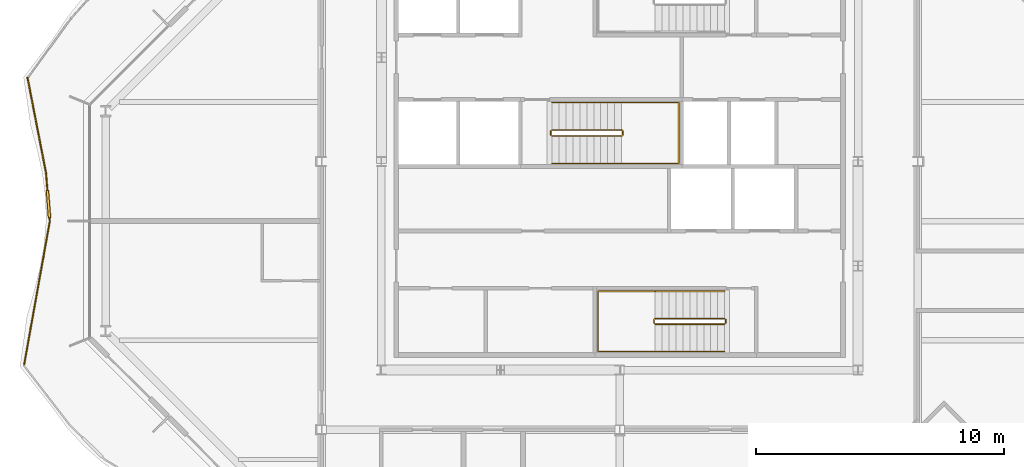
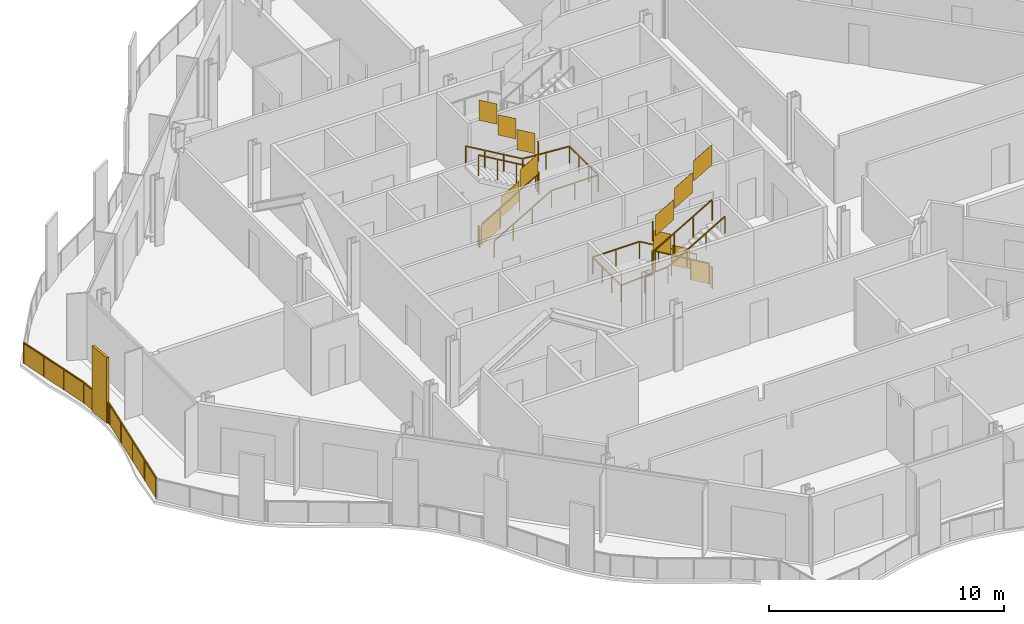
# One storey, part 14 of 17: 7 railings.
"""IFC4 building model written with IfcOpenShell, lengths in metres."""

from ifc_helpers import new_model, si_unit, direction, frame, origin, origin_2d, place, context, subcontext, project, spatial, polyline, rectangle, outline, extrude, material, type_object, element, save


model = new_model("IFC4")

# Units and contexts
model_context = context("Model", 3, precision=1e-05, world=origin(), true_north=direction((0.0, 1.0)))
body_context = subcontext(model_context, "Body", "Model", "MODEL_VIEW")
ifc_project = project(units=[si_unit("LENGTHUNIT", "METRE"), si_unit("AREAUNIT", "SQUARE_METRE"), si_unit("VOLUMEUNIT", "CUBIC_METRE"), si_unit("PLANEANGLEUNIT", "RADIAN"), si_unit("MASSUNIT", "GRAM", prefix="KILO")], contexts=[model_context])

# Site, building, storey
site_placement = place(None, origin())
site = spatial("IfcSite", under=ifc_project, at=site_placement, CompositionType="ELEMENT")
building_placement = place(site_placement, origin())
building = spatial("IfcBuilding", under=site, at=building_placement, Name="Cairn Pilgrim Tower", CompositionType="ELEMENT")
storey_placement = place(building_placement, frame((0.0, 0.0, 232.199951171875)))
storey = spatial("IfcBuildingStorey", under=building, at=storey_placement, Name="L59", CompositionType="ELEMENT", Elevation=232.199951171875)

# Railings
ifc_material_1 = material(Name="Bronze anodised aluminium rail, posts and fin screens with laminated glass infill", Category="aluminium")
railing_type_1 = type_object("IfcRailingType", Name="BALCONY GUARD WITH FIN SCREENS", PredefinedType="GUARDRAIL", material=ifc_material_1)
railing_1_placement = place(storey_placement, frame((-16.6484375, 5.761962890625, 0.0)))
element("IfcRailing", 1, at=railing_1_placement, inside=storey, type_object=railing_type_1, Name="Balcony guard BGF-7 with fin screens", PredefinedType="GUARDRAIL", context=body_context, shape_type="SweptSolid", body=[
    extrude(rectangle(XDim=0.050048828125, YDim=0.050048828125, at=origin_2d()), frame((0.0, 0.0, 1.0751953125), z_axis=(0.190940150551, -0.981601680371, 0.0), x_axis=(0.981601680371, 0.190940150551, 0.0)), (0.0, 0.0, 1.0), 3.893310546875),
    extrude(rectangle(XDim=1.10009765625, YDim=0.110107421875, at=origin_2d()), frame((0.841064453125, -5.07177734375, 0.0), z_axis=(0.0, 0.0, 1.0), x_axis=(0.077852734261, -0.996964869877, 0.0)), (0.0, 0.0, 1.0), 3.39990234375),
    extrude(rectangle(XDim=0.050048828125, YDim=0.050048828125, at=origin_2d()), frame((0.743408203125, -3.82177734375, 1.0751953125), z_axis=(0.077852734261, -0.996964869877, 0.0), x_axis=(0.996964869877, 0.077852734261, 0.0)), (0.0, 0.0, 1.0), 0.70361328125),
    extrude(rectangle(XDim=0.050048828125, YDim=0.050048828125, at=origin_2d()), frame((0.8837890625, -5.619873046875, 1.0751953125), z_axis=(0.077852734261, -0.996964869877, 0.0), x_axis=(0.996964869877, 0.077852734261, 0.0)), (0.0, 0.0, 1.0), 0.14990234375),
    extrude(rectangle(XDim=0.050048828125, YDim=0.050048828125, at=origin_2d()), frame((0.8955078125, -5.76953125, 1.0751953125), z_axis=(-0.176270702653, -0.984341728967, 0.0), x_axis=(0.984341728967, -0.176270702653, 0.0)), (0.0, 0.0, 1.0), 5.843505859375),
    extrude(rectangle(XDim=0.050048828125, YDim=0.050048828125, at=origin_2d()), origin(), (0.0, 0.0, 1.0), 1.050048828125),
    extrude(rectangle(XDim=0.050048828125, YDim=0.050048828125, at=origin_2d()), frame((0.247802734375, -1.27392578125, 0.0)), (0.0, 0.0, 1.0), 1.050048828125),
    extrude(rectangle(XDim=0.050048828125, YDim=0.050048828125, at=origin_2d()), frame((0.49560546875, -2.5478515625, 0.0)), (0.0, 0.0, 1.0), 1.050048828125),
    extrude(rectangle(XDim=0.050048828125, YDim=0.050048828125, at=origin_2d()), frame((0.743408203125, -3.82177734375, 0.0)), (0.0, 0.0, 1.0), 1.050048828125),
    extrude(rectangle(XDim=0.050048828125, YDim=0.050048828125, at=origin_2d()), frame((0.796142578125, -4.498291015625, 0.0)), (0.0, 0.0, 1.0), 1.050048828125),
    extrude(rectangle(XDim=0.050048828125, YDim=0.050048828125, at=origin_2d()), frame((0.8857421875, -5.64501953125, 0.0)), (0.0, 0.0, 1.0), 1.050048828125),
    extrude(rectangle(XDim=0.050048828125, YDim=0.050048828125, at=origin_2d()), frame((0.8955078125, -5.76953125, 0.0)), (0.0, 0.0, 1.0), 1.050048828125),
    extrude(rectangle(XDim=0.050048828125, YDim=0.050048828125, at=origin_2d()), frame((0.637939453125, -7.20751953125, 0.0)), (0.0, 0.0, 1.0), 1.050048828125),
    extrude(rectangle(XDim=0.050048828125, YDim=0.050048828125, at=origin_2d()), frame((0.38037109375, -8.6455078125, 0.0)), (0.0, 0.0, 1.0), 1.050048828125),
    extrude(rectangle(XDim=0.050048828125, YDim=0.050048828125, at=origin_2d()), frame((0.123046875, -10.08349609375, 0.0)), (0.0, 0.0, 1.0), 1.050048828125),
    extrude(rectangle(XDim=0.050048828125, YDim=0.050048828125, at=origin_2d()), frame((-0.134521484375, -11.521484375, 0.0)), (0.0, 0.0, 1.0), 1.050048828125),
    extrude(outline(polyline([(0.02490234375, 0.0), (1.272705078125, 0.0), (1.272705078125, 1.050048828125), (0.02490234375, 1.050048828125), (0.02490234375, 0.0)])), frame((0.005859375, 0.001220703125, 0.0), z_axis=(-0.981601680371, -0.190940150551, 0.0), x_axis=(0.190940150551, -0.981601680371, 0.0)), (0.0, 0.0, 1.0), 0.011962890625),
    extrude(outline(polyline([(0.02490234375, 0.0), (1.272705078125, 0.0), (1.272705078125, 1.050048828125), (0.02490234375, 1.050048828125), (0.02490234375, 0.0)])), frame((0.253662109375, -1.272705078125, 0.0), z_axis=(-0.981601680371, -0.190940150551, 0.0), x_axis=(0.190940150551, -0.981601680371, 0.0)), (0.0, 0.0, 1.0), 0.011962890625),
    extrude(outline(polyline([(0.02490234375, 0.0), (1.272705078125, 0.0), (1.272705078125, 1.050048828125), (0.02490234375, 1.050048828125), (0.02490234375, 0.0)])), frame((0.50146484375, -2.546630859375, 0.0), z_axis=(-0.981601680371, -0.190940150551, 0.0), x_axis=(0.190940150551, -0.981601680371, 0.0)), (0.0, 0.0, 1.0), 0.011962890625),
    extrude(outline(polyline([(0.02490234375, 0.0), (0.653564453125, 0.0), (0.653564453125, 1.050048828125), (0.02490234375, 1.050048828125), (0.02490234375, 0.0)])), frame((0.749267578125, -3.8212890625, 0.0), z_axis=(-0.996964869877, -0.077852734261, 0.0), x_axis=(0.077852734261, -0.996964869877, 0.0)), (0.0, 0.0, 1.0), 0.011962890625),
    extrude(outline(polyline([(0.02490234375, 0.0), (0.099853515625, 0.0), (0.099853515625, 1.050048828125), (0.02490234375, 1.050048828125), (0.02490234375, 0.0)])), frame((0.891845703125, -5.64453125, 0.0), z_axis=(-0.996964869877, -0.077852734261, 0.0), x_axis=(0.077852734261, -0.996964869877, 0.0)), (0.0, 0.0, 1.0), 0.011962890625),
    extrude(outline(polyline([(0.02490234375, 0.0), (1.435791015625, 0.0), (1.435791015625, 1.050048828125), (0.02490234375, 1.050048828125), (0.02490234375, 0.0)])), frame((0.9013671875, -5.7705078125, 0.0), z_axis=(-0.984341728967, 0.176270702653, 0.0), x_axis=(-0.176270702653, -0.984341728967, 0.0)), (0.0, 0.0, 1.0), 0.011962890625),
    extrude(outline(polyline([(0.02490234375, 0.0), (1.435791015625, 0.0), (1.435791015625, 1.050048828125), (0.02490234375, 1.050048828125), (0.02490234375, 0.0)])), frame((0.643798828125, -7.20849609375, 0.0), z_axis=(-0.984341728967, 0.176270702653, 0.0), x_axis=(-0.176270702653, -0.984341728967, 0.0)), (0.0, 0.0, 1.0), 0.011962890625),
    extrude(outline(polyline([(0.02490234375, 0.0), (1.435791015625, 0.0), (1.435791015625, 1.050048828125), (0.02490234375, 1.050048828125), (0.02490234375, 0.0)])), frame((0.386474609375, -8.646484375, 0.0), z_axis=(-0.984341728967, 0.176270702653, 0.0), x_axis=(-0.176270702653, -0.984341728967, 0.0)), (0.0, 0.0, 1.0), 0.011962890625),
    extrude(outline(polyline([(0.02490234375, 0.0), (1.435791015625, 0.0), (1.435791015625, 1.050048828125), (0.02490234375, 1.050048828125), (0.02490234375, 0.0)])), frame((0.12890625, -10.08447265625, 0.0), z_axis=(-0.984341728967, 0.176270702653, 0.0), x_axis=(-0.176270702653, -0.984341728967, 0.0)), (0.0, 0.0, 1.0), 0.011962890625),
])
ifc_material_2 = material(Name="Painted steel", Category="steel")
railing_type_2 = type_object("IfcRailingType", Name="STAIR GUARD 1100", PredefinedType="GUARDRAIL", material=ifc_material_2)
railing_2_placement = place(storey_placement, frame((11.425048828125, -3.925048828125, 0.16357421875)))
element("IfcRailing", 2, at=railing_2_placement, inside=storey, type_object=railing_type_2, Name="L59 ST-A stair guard 1", PredefinedType="GUARDRAIL", context=body_context, shape_type="SweptSolid", body=[
    extrude(rectangle(XDim=0.048095703125, YDim=0.048095703125, at=origin_2d()), frame((0.0, 0.0, 1.076171875), z_axis=(-0.863360870873, 0.0, 0.504586966384), x_axis=(0.0, -1.0, 0.0)), (0.0, 0.0, 1.0), 3.2431640625),
    extrude(rectangle(XDim=0.048095703125, YDim=0.048095703125, at=origin_2d()), frame((-2.800048828125, 0.0, 2.71240234375), z_axis=(-0.707106781187, -0.707106781187, 0.0), x_axis=(0.707106781187, -0.707106781187, 0.0)), (0.0, 0.0, 1.0), 0.07080078125),
    extrude(rectangle(XDim=0.048095703125, YDim=0.048095703125, at=origin_2d()), frame((-2.85009765625, -0.050048828125, 2.71240234375), z_axis=(0.0, -1.0, 0.0), x_axis=(1.0, 0.0, 0.0)), (0.0, 0.0, 1.0), 0.125),
    extrude(rectangle(XDim=0.048095703125, YDim=0.048095703125, at=origin_2d()), frame((-2.85009765625, -0.175048828125, 2.71240234375), z_axis=(0.280916556609, -0.279546231943, 0.91811752648), x_axis=(0.705375805398, 0.708833529934, 0.0)), (0.0, 0.0, 1.0), 0.17822265625),
    extrude(rectangle(XDim=0.048095703125, YDim=0.048095703125, at=origin_2d()), frame((-2.800048828125, -0.224853515625, 2.8759765625), z_axis=(0.863360870873, 0.0, 0.504586966384), x_axis=(0.0, 1.0, 0.0)), (0.0, 0.0, 1.0), 3.2431640625),
    extrude(rectangle(XDim=0.0419921875, YDim=0.0419921875, at=origin_2d()), origin(), (0.0, 0.0, 1.0), 1.052001953125),
    extrude(rectangle(XDim=0.0419921875, YDim=0.0419921875, at=origin_2d()), frame((-0.933349609375, 0.0, 0.54541015625)), (0.0, 0.0, 1.0), 1.052001953125),
    extrude(rectangle(XDim=0.0419921875, YDim=0.0419921875, at=origin_2d()), frame((-1.86669921875, 0.0, 1.091064453125)), (0.0, 0.0, 1.0), 1.052001953125),
    extrude(rectangle(XDim=0.0419921875, YDim=0.0419921875, at=origin_2d()), frame((-2.800048828125, 0.0, 1.636474609375)), (0.0, 0.0, 1.0), 1.052001953125),
    extrude(rectangle(XDim=0.0419921875, YDim=0.0419921875, at=origin_2d()), frame((-2.85009765625, -0.050048828125, 1.636474609375)), (0.0, 0.0, 1.0), 1.052001953125),
    extrude(rectangle(XDim=0.0419921875, YDim=0.0419921875, at=origin_2d()), frame((-2.85009765625, -0.175048828125, 1.636474609375)), (0.0, 0.0, 1.0), 1.052001953125),
    extrude(rectangle(XDim=0.0419921875, YDim=0.0419921875, at=origin_2d()), frame((-2.800048828125, -0.224853515625, 1.800048828125)), (0.0, 0.0, 1.0), 1.052001953125),
    extrude(rectangle(XDim=0.0419921875, YDim=0.0419921875, at=origin_2d()), frame((-1.86669921875, -0.224853515625, 2.345458984375)), (0.0, 0.0, 1.0), 1.052001953125),
    extrude(rectangle(XDim=0.0419921875, YDim=0.0419921875, at=origin_2d()), frame((-0.933349609375, -0.224853515625, 2.89111328125)), (0.0, 0.0, 1.0), 1.052001953125),
    extrude(rectangle(XDim=0.0419921875, YDim=0.0419921875, at=origin_2d()), frame((0.0, -0.224853515625, 3.4365234375)), (0.0, 0.0, 1.0), 1.052001953125),
    extrude(outline(polyline([(0.02099609375, 0.01220703125), (0.912353515625, 0.533203125), (0.912353515625, 1.585205078125), (0.02099609375, 1.064208984375), (0.02099609375, 0.01220703125)])), frame((0.0, -0.005859375, 0.0), z_axis=(0.0, 1.0, 0.0), x_axis=(-1.0, 0.0, 0.0)), (0.0, 0.0, 1.0), 0.011962890625),
    extrude(outline(polyline([(0.02099609375, 0.557861328125), (0.912353515625, 1.07861328125), (0.912353515625, 2.130615234375), (0.02099609375, 1.60986328125), (0.02099609375, 0.557861328125)])), frame((-0.933349609375, -0.005859375, 0.54541015625), z_axis=(0.0, 1.0, 0.0), x_axis=(-1.0, 0.0, 0.0)), (0.0, 0.0, 1.0), 0.011962890625),
    extrude(outline(polyline([(0.02099609375, 1.103271484375), (0.912353515625, 1.624267578125), (0.912353515625, 2.67626953125), (0.02099609375, 2.1552734375), (0.02099609375, 1.103271484375)])), frame((-1.86669921875, -0.005859375, 1.091064453125), z_axis=(0.0, 1.0, 0.0), x_axis=(-1.0, 0.0, 0.0)), (0.0, 0.0, 1.0), 0.011962890625),
    extrude(outline(polyline([(0.02099609375, 1.636474609375), (0.10400390625, 1.636474609375), (0.10400390625, 2.6884765625), (0.02099609375, 2.6884765625), (0.02099609375, 1.636474609375)])), frame((-2.84423828125, -0.050048828125, 1.636474609375), z_axis=(-1.0, 0.0, 0.0), x_axis=(0.0, -1.0, 0.0)), (0.0, 0.0, 1.0), 0.011962890625),
    extrude(outline(polyline([(0.02099609375, 1.812255859375), (0.912353515625, 2.333251953125), (0.912353515625, 3.38525390625), (0.02099609375, 2.8642578125), (0.02099609375, 1.812255859375)])), frame((-2.800048828125, -0.21875, 1.800048828125), z_axis=(0.0, -1.0, 0.0), x_axis=(1.0, 0.0, 0.0)), (0.0, 0.0, 1.0), 0.011962890625),
    extrude(outline(polyline([(0.02099609375, 2.35791015625), (0.912353515625, 2.878662109375), (0.912353515625, 3.9306640625), (0.02099609375, 3.409912109375), (0.02099609375, 2.35791015625)])), frame((-1.86669921875, -0.21875, 2.345458984375), z_axis=(0.0, -1.0, 0.0), x_axis=(1.0, 0.0, 0.0)), (0.0, 0.0, 1.0), 0.011962890625),
    extrude(outline(polyline([(0.02099609375, 2.9033203125), (0.912353515625, 3.42431640625), (0.912353515625, 4.476318359375), (0.02099609375, 3.955322265625), (0.02099609375, 2.9033203125)])), frame((-0.933349609375, -0.21875, 2.89111328125), z_axis=(0.0, -1.0, 0.0), x_axis=(1.0, 0.0, 0.0)), (0.0, 0.0, 1.0), 0.011962890625),
])
railing_3_placement = place(storey_placement, frame((11.47509765625, -3.97509765625, 0.0)))
element("IfcRailing", 3, at=railing_3_placement, inside=storey, type_object=railing_type_2, Name="L59 ST-A stair guard 2", PredefinedType="GUARDRAIL", context=body_context, shape_type="SweptSolid", body=[
    extrude(rectangle(XDim=0.048095703125, YDim=0.048095703125, at=origin_2d()), frame((0.0, 0.0, 1.076171875), z_axis=(0.0, -1.0, 0.0), x_axis=(1.0, 0.0, 0.0)), (0.0, 0.0, 1.0), 0.125),
    extrude(rectangle(XDim=0.0419921875, YDim=0.0419921875, at=origin_2d()), origin(), (0.0, 0.0, 1.0), 1.052001953125),
    extrude(rectangle(XDim=0.0419921875, YDim=0.0419921875, at=origin_2d()), frame((0.0, -0.125, 0.0)), (0.0, 0.0, 1.0), 1.052001953125),
    extrude(outline(polyline([(0.02099609375, 0.0), (0.10400390625, 0.0), (0.10400390625, 1.052001953125), (0.02099609375, 1.052001953125), (0.02099609375, 0.0)])), frame((0.005859375, 0.0, 0.0), z_axis=(-1.0, 0.0, 0.0), x_axis=(0.0, -1.0, 0.0)), (0.0, 0.0, 1.0), 0.011962890625),
])
railing_4_placement = place(storey_placement, frame((4.47509765625, 3.425048828125, 0.16357421875)))
element("IfcRailing", 4, at=railing_4_placement, inside=storey, type_object=railing_type_2, Name="L59 ST-B stair guard 1", PredefinedType="GUARDRAIL", context=body_context, shape_type="SweptSolid", body=[
    extrude(rectangle(XDim=0.048095703125, YDim=0.048095703125, at=origin_2d()), frame((0.0, 0.0, 1.076171875), z_axis=(0.863341702679, 0.0, 0.504619762213), x_axis=(0.0, 1.0, 0.0)), (0.0, 0.0, 1.0), 3.242919921875),
    extrude(rectangle(XDim=0.048095703125, YDim=0.048095703125, at=origin_2d()), frame((2.7998046875, 0.0, 2.71240234375), z_axis=(0.707106781187, 0.707106781187, 0.0), x_axis=(-0.707106781187, 0.707106781187, 0.0)), (0.0, 0.0, 1.0), 0.07080078125),
    extrude(rectangle(XDim=0.048095703125, YDim=0.048095703125, at=origin_2d()), frame((2.849853515625, 0.050048828125, 2.71240234375), z_axis=(0.0, 1.0, 0.0), x_axis=(-1.0, 0.0, 0.0)), (0.0, 0.0, 1.0), 0.14990234375),
    extrude(rectangle(XDim=0.048095703125, YDim=0.048095703125, at=origin_2d()), frame((2.849853515625, 0.199951171875, 2.71240234375), z_axis=(-0.280808744504, 0.280808744504, 0.917765164963), x_axis=(-0.707106781187, -0.707106781187, 0.0)), (0.0, 0.0, 1.0), 0.17822265625),
    extrude(rectangle(XDim=0.048095703125, YDim=0.048095703125, at=origin_2d()), frame((2.7998046875, 0.25, 2.8759765625), z_axis=(-0.863341702679, 0.0, 0.504619762213), x_axis=(0.0, -1.0, 0.0)), (0.0, 0.0, 1.0), 3.242919921875),
    extrude(rectangle(XDim=0.0419921875, YDim=0.0419921875, at=origin_2d()), origin(), (0.0, 0.0, 1.0), 1.052001953125),
    extrude(rectangle(XDim=0.0419921875, YDim=0.0419921875, at=origin_2d()), frame((0.933349609375, 0.0, 0.54541015625)), (0.0, 0.0, 1.0), 1.052001953125),
    extrude(rectangle(XDim=0.0419921875, YDim=0.0419921875, at=origin_2d()), frame((1.866455078125, 0.0, 1.091064453125)), (0.0, 0.0, 1.0), 1.052001953125),
    extrude(rectangle(XDim=0.0419921875, YDim=0.0419921875, at=origin_2d()), frame((2.7998046875, 0.0, 1.636474609375)), (0.0, 0.0, 1.0), 1.052001953125),
    extrude(rectangle(XDim=0.0419921875, YDim=0.0419921875, at=origin_2d()), frame((2.849853515625, 0.050048828125, 1.636474609375)), (0.0, 0.0, 1.0), 1.052001953125),
    extrude(rectangle(XDim=0.0419921875, YDim=0.0419921875, at=origin_2d()), frame((2.849853515625, 0.199951171875, 1.636474609375)), (0.0, 0.0, 1.0), 1.052001953125),
    extrude(rectangle(XDim=0.0419921875, YDim=0.0419921875, at=origin_2d()), frame((2.7998046875, 0.25, 1.800048828125)), (0.0, 0.0, 1.0), 1.052001953125),
    extrude(rectangle(XDim=0.0419921875, YDim=0.0419921875, at=origin_2d()), frame((1.866455078125, 0.25, 2.345458984375)), (0.0, 0.0, 1.0), 1.052001953125),
    extrude(rectangle(XDim=0.0419921875, YDim=0.0419921875, at=origin_2d()), frame((0.933349609375, 0.25, 2.89111328125)), (0.0, 0.0, 1.0), 1.052001953125),
    extrude(rectangle(XDim=0.0419921875, YDim=0.0419921875, at=origin_2d()), frame((0.0, 0.25, 3.4365234375)), (0.0, 0.0, 1.0), 1.052001953125),
    extrude(outline(polyline([(0.02099609375, 0.01220703125), (0.912353515625, 0.533203125), (0.912353515625, 1.585205078125), (0.02099609375, 1.064208984375), (0.02099609375, 0.01220703125)])), frame((0.0, 0.005859375, 0.0), z_axis=(0.0, -1.0, 0.0), x_axis=(1.0, 0.0, 0.0)), (0.0, 0.0, 1.0), 0.011962890625),
    extrude(outline(polyline([(0.02099609375, 0.557861328125), (0.912353515625, 1.07861328125), (0.912353515625, 2.130615234375), (0.02099609375, 1.60986328125), (0.02099609375, 0.557861328125)])), frame((0.933349609375, 0.005859375, 0.54541015625), z_axis=(0.0, -1.0, 0.0), x_axis=(1.0, 0.0, 0.0)), (0.0, 0.0, 1.0), 0.011962890625),
    extrude(outline(polyline([(0.02099609375, 1.103271484375), (0.912353515625, 1.624267578125), (0.912353515625, 2.67626953125), (0.02099609375, 2.1552734375), (0.02099609375, 1.103271484375)])), frame((1.866455078125, 0.005859375, 1.091064453125), z_axis=(0.0, -1.0, 0.0), x_axis=(1.0, 0.0, 0.0)), (0.0, 0.0, 1.0), 0.011962890625),
    extrude(outline(polyline([(0.02099609375, 1.636474609375), (0.12890625, 1.636474609375), (0.12890625, 2.6884765625), (0.02099609375, 2.6884765625), (0.02099609375, 1.636474609375)])), frame((2.84375, 0.050048828125, 1.636474609375), z_axis=(1.0, 0.0, 0.0), x_axis=(0.0, 1.0, 0.0)), (0.0, 0.0, 1.0), 0.011962890625),
    extrude(outline(polyline([(0.02099609375, 1.812255859375), (0.912353515625, 2.333251953125), (0.912353515625, 3.38525390625), (0.02099609375, 2.8642578125), (0.02099609375, 1.812255859375)])), frame((2.7998046875, 0.244140625, 1.800048828125), z_axis=(0.0, 1.0, 0.0), x_axis=(-1.0, 0.0, 0.0)), (0.0, 0.0, 1.0), 0.011962890625),
    extrude(outline(polyline([(0.02099609375, 2.35791015625), (0.912353515625, 2.878662109375), (0.912353515625, 3.9306640625), (0.02099609375, 3.409912109375), (0.02099609375, 2.35791015625)])), frame((1.866455078125, 0.244140625, 2.345458984375), z_axis=(0.0, 1.0, 0.0), x_axis=(-1.0, 0.0, 0.0)), (0.0, 0.0, 1.0), 0.011962890625),
    extrude(outline(polyline([(0.02099609375, 2.9033203125), (0.912353515625, 3.42431640625), (0.912353515625, 4.476318359375), (0.02099609375, 3.955322265625), (0.02099609375, 2.9033203125)])), frame((0.933349609375, 0.244140625, 2.89111328125), z_axis=(0.0, 1.0, 0.0), x_axis=(-1.0, 0.0, 0.0)), (0.0, 0.0, 1.0), 0.011962890625),
])
railing_5_placement = place(storey_placement, frame((4.425048828125, 3.47509765625, 0.0)))
element("IfcRailing", 5, at=railing_5_placement, inside=storey, type_object=railing_type_2, Name="L59 ST-B stair guard 2", PredefinedType="GUARDRAIL", context=body_context, shape_type="SweptSolid", body=[
    extrude(rectangle(XDim=0.048095703125, YDim=0.048095703125, at=origin_2d()), frame((0.0, 0.0, 1.076171875), z_axis=(0.0, 1.0, 0.0), x_axis=(-1.0, 0.0, 0.0)), (0.0, 0.0, 1.0), 0.14990234375),
    extrude(rectangle(XDim=0.0419921875, YDim=0.0419921875, at=origin_2d()), origin(), (0.0, 0.0, 1.0), 1.052001953125),
    extrude(rectangle(XDim=0.0419921875, YDim=0.0419921875, at=origin_2d()), frame((0.0, 0.14990234375, 0.0)), (0.0, 0.0, 1.0), 1.052001953125),
    extrude(outline(polyline([(0.02099609375, 0.0), (0.12890625, 0.0), (0.12890625, 1.052001953125), (0.02099609375, 1.052001953125), (0.02099609375, 0.0)])), frame((-0.005859375, 0.0, 0.0), z_axis=(1.0, 0.0, 0.0), x_axis=(0.0, 1.0, 0.0)), (0.0, 0.0, 1.0), 0.011962890625),
])
railing_type_3 = type_object("IfcRailingType", Name="STAIR HANDRAIL 900", PredefinedType="HANDRAIL", material=ifc_material_2)
railing_6_placement = place(storey_placement, frame((11.425048828125, -2.824951171875, 0.16357421875)))
element("IfcRailing", 6, at=railing_6_placement, inside=storey, type_object=railing_type_3, Name="L59 ST-A stair handrail 1", PredefinedType="HANDRAIL", context=body_context, shape_type="SweptSolid", body=[
    extrude(rectangle(XDim=0.048095703125, YDim=0.048095703125, at=origin_2d()), frame((0.0, 0.0, 0.8759765625), z_axis=(-0.863360870873, 0.0, 0.504586966384), x_axis=(0.0, -1.0, 0.0)), (0.0, 0.0, 1.0), 3.2431640625),
    extrude(rectangle(XDim=0.048095703125, YDim=0.048095703125, at=origin_2d()), frame((-2.800048828125, 0.0, 2.51220703125), z_axis=(-1.0, 0.0, 0.0), x_axis=(0.0, -1.0, 0.0)), (0.0, 0.0, 1.0), 2.300048828125),
    extrude(rectangle(XDim=0.048095703125, YDim=0.048095703125, at=origin_2d()), frame((-5.10009765625, 0.0, 2.51220703125), z_axis=(0.0, -1.0, 0.0), x_axis=(1.0, 0.0, 0.0)), (0.0, 0.0, 1.0), 2.425048828125),
    extrude(rectangle(XDim=0.048095703125, YDim=0.048095703125, at=origin_2d()), frame((-5.10009765625, -2.425048828125, 2.51220703125), z_axis=(0.997480687736, 0.0, 0.070938548008), x_axis=(0.0, 1.0, 0.0)), (0.0, 0.0, 1.0), 2.305908203125),
    extrude(rectangle(XDim=0.048095703125, YDim=0.048095703125, at=origin_2d()), frame((-2.800048828125, -2.425048828125, 2.67578125), z_axis=(0.863360870873, 0.0, 0.504586966384), x_axis=(0.0, 1.0, 0.0)), (0.0, 0.0, 1.0), 3.2431640625),
    extrude(rectangle(XDim=0.0419921875, YDim=0.0419921875, at=origin_2d()), origin(), (0.0, 0.0, 1.0), 0.851806640625),
    extrude(rectangle(XDim=0.0419921875, YDim=0.0419921875, at=origin_2d()), frame((-0.933349609375, 0.0, 0.54541015625)), (0.0, 0.0, 1.0), 0.851806640625),
    extrude(rectangle(XDim=0.0419921875, YDim=0.0419921875, at=origin_2d()), frame((-1.86669921875, 0.0, 1.091064453125)), (0.0, 0.0, 1.0), 0.851806640625),
    extrude(rectangle(XDim=0.0419921875, YDim=0.0419921875, at=origin_2d()), frame((-2.800048828125, 0.0, 1.636474609375)), (0.0, 0.0, 1.0), 0.851806640625),
    extrude(rectangle(XDim=0.0419921875, YDim=0.0419921875, at=origin_2d()), frame((-3.9501953125, 0.0, 1.636474609375)), (0.0, 0.0, 1.0), 0.851806640625),
    extrude(rectangle(XDim=0.0419921875, YDim=0.0419921875, at=origin_2d()), frame((-5.10009765625, 0.0, 1.636474609375)), (0.0, 0.0, 1.0), 0.851806640625),
    extrude(rectangle(XDim=0.0419921875, YDim=0.0419921875, at=origin_2d()), frame((-5.10009765625, -0.808349609375, 1.636474609375)), (0.0, 0.0, 1.0), 0.851806640625),
    extrude(rectangle(XDim=0.0419921875, YDim=0.0419921875, at=origin_2d()), frame((-5.10009765625, -1.61669921875, 1.636474609375)), (0.0, 0.0, 1.0), 0.851806640625),
    extrude(rectangle(XDim=0.0419921875, YDim=0.0419921875, at=origin_2d()), frame((-5.10009765625, -2.425048828125, 1.636474609375)), (0.0, 0.0, 1.0), 0.851806640625),
    extrude(rectangle(XDim=0.0419921875, YDim=0.0419921875, at=origin_2d()), frame((-3.9501953125, -2.425048828125, 1.71826171875)), (0.0, 0.0, 1.0), 0.851806640625),
    extrude(rectangle(XDim=0.0419921875, YDim=0.0419921875, at=origin_2d()), frame((-2.800048828125, -2.425048828125, 1.800048828125)), (0.0, 0.0, 1.0), 0.851806640625),
    extrude(rectangle(XDim=0.0419921875, YDim=0.0419921875, at=origin_2d()), frame((-1.86669921875, -2.425048828125, 2.345458984375)), (0.0, 0.0, 1.0), 0.851806640625),
    extrude(rectangle(XDim=0.0419921875, YDim=0.0419921875, at=origin_2d()), frame((-0.933349609375, -2.425048828125, 2.89111328125)), (0.0, 0.0, 1.0), 0.851806640625),
    extrude(rectangle(XDim=0.0419921875, YDim=0.0419921875, at=origin_2d()), frame((0.0, -2.425048828125, 3.4365234375)), (0.0, 0.0, 1.0), 0.851806640625),
])
railing_7_placement = place(storey_placement, frame((4.47509765625, 2.324951171875, 0.16357421875)))
element("IfcRailing", 7, at=railing_7_placement, inside=storey, type_object=railing_type_3, Name="L59 ST-B stair handrail 1", PredefinedType="HANDRAIL", context=body_context, shape_type="SweptSolid", body=[
    extrude(rectangle(XDim=0.048095703125, YDim=0.048095703125, at=origin_2d()), frame((0.0, 0.0, 0.8759765625), z_axis=(0.863341702679, 0.0, 0.504619762213), x_axis=(0.0, 1.0, 0.0)), (0.0, 0.0, 1.0), 3.242919921875),
    extrude(rectangle(XDim=0.048095703125, YDim=0.048095703125, at=origin_2d()), frame((2.7998046875, 0.0, 2.51220703125), z_axis=(1.0, 0.0, 0.0), x_axis=(0.0, 1.0, 0.0)), (0.0, 0.0, 1.0), 2.300048828125),
    extrude(rectangle(XDim=0.048095703125, YDim=0.048095703125, at=origin_2d()), frame((5.099853515625, 0.0, 2.51220703125), z_axis=(0.0, 1.0, 0.0), x_axis=(-1.0, 0.0, 0.0)), (0.0, 0.0, 1.0), 2.449951171875),
    extrude(rectangle(XDim=0.048095703125, YDim=0.048095703125, at=origin_2d()), frame((5.099853515625, 2.449951171875, 2.51220703125), z_axis=(-0.997480687736, 0.0, 0.070938548008), x_axis=(0.0, -1.0, 0.0)), (0.0, 0.0, 1.0), 2.305908203125),
    extrude(rectangle(XDim=0.048095703125, YDim=0.048095703125, at=origin_2d()), frame((2.7998046875, 2.449951171875, 2.67578125), z_axis=(-0.863341702679, 0.0, 0.504619762213), x_axis=(0.0, -1.0, 0.0)), (0.0, 0.0, 1.0), 3.242919921875),
    extrude(rectangle(XDim=0.0419921875, YDim=0.0419921875, at=origin_2d()), origin(), (0.0, 0.0, 1.0), 0.851806640625),
    extrude(rectangle(XDim=0.0419921875, YDim=0.0419921875, at=origin_2d()), frame((0.933349609375, 0.0, 0.54541015625)), (0.0, 0.0, 1.0), 0.851806640625),
    extrude(rectangle(XDim=0.0419921875, YDim=0.0419921875, at=origin_2d()), frame((1.866455078125, 0.0, 1.091064453125)), (0.0, 0.0, 1.0), 0.851806640625),
    extrude(rectangle(XDim=0.0419921875, YDim=0.0419921875, at=origin_2d()), frame((2.7998046875, 0.0, 1.636474609375)), (0.0, 0.0, 1.0), 0.851806640625),
    extrude(rectangle(XDim=0.0419921875, YDim=0.0419921875, at=origin_2d()), frame((3.94970703125, 0.0, 1.636474609375)), (0.0, 0.0, 1.0), 0.851806640625),
    extrude(rectangle(XDim=0.0419921875, YDim=0.0419921875, at=origin_2d()), frame((5.099853515625, 0.0, 1.636474609375)), (0.0, 0.0, 1.0), 0.851806640625),
    extrude(rectangle(XDim=0.0419921875, YDim=0.0419921875, at=origin_2d()), frame((5.099853515625, 0.816650390625, 1.636474609375)), (0.0, 0.0, 1.0), 0.851806640625),
    extrude(rectangle(XDim=0.0419921875, YDim=0.0419921875, at=origin_2d()), frame((5.099853515625, 1.63330078125, 1.636474609375)), (0.0, 0.0, 1.0), 0.851806640625),
    extrude(rectangle(XDim=0.0419921875, YDim=0.0419921875, at=origin_2d()), frame((5.099853515625, 2.449951171875, 1.636474609375)), (0.0, 0.0, 1.0), 0.851806640625),
    extrude(rectangle(XDim=0.0419921875, YDim=0.0419921875, at=origin_2d()), frame((3.94970703125, 2.449951171875, 1.71826171875)), (0.0, 0.0, 1.0), 0.851806640625),
    extrude(rectangle(XDim=0.0419921875, YDim=0.0419921875, at=origin_2d()), frame((2.7998046875, 2.449951171875, 1.800048828125)), (0.0, 0.0, 1.0), 0.851806640625),
    extrude(rectangle(XDim=0.0419921875, YDim=0.0419921875, at=origin_2d()), frame((1.866455078125, 2.449951171875, 2.345458984375)), (0.0, 0.0, 1.0), 0.851806640625),
    extrude(rectangle(XDim=0.0419921875, YDim=0.0419921875, at=origin_2d()), frame((0.933349609375, 2.449951171875, 2.89111328125)), (0.0, 0.0, 1.0), 0.851806640625),
    extrude(rectangle(XDim=0.0419921875, YDim=0.0419921875, at=origin_2d()), frame((0.0, 2.449951171875, 3.4365234375)), (0.0, 0.0, 1.0), 0.851806640625),
])

save(model, "model.ifc")
